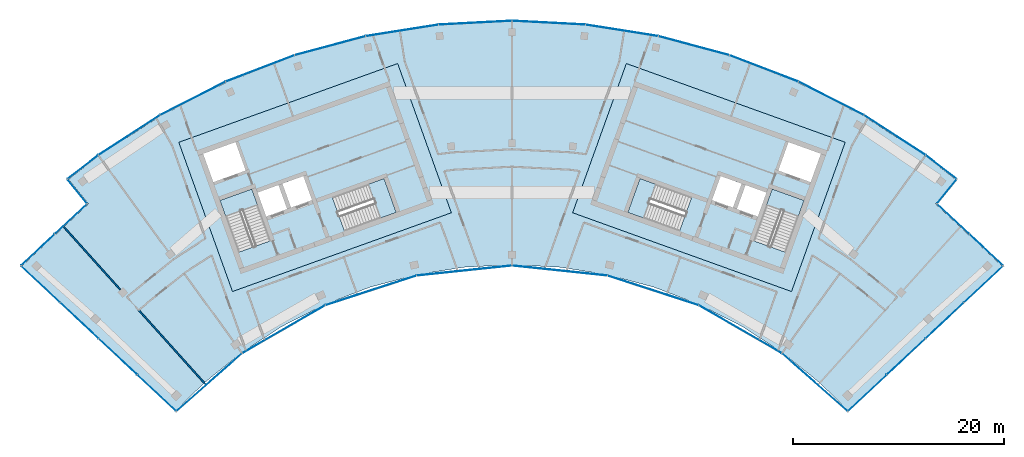
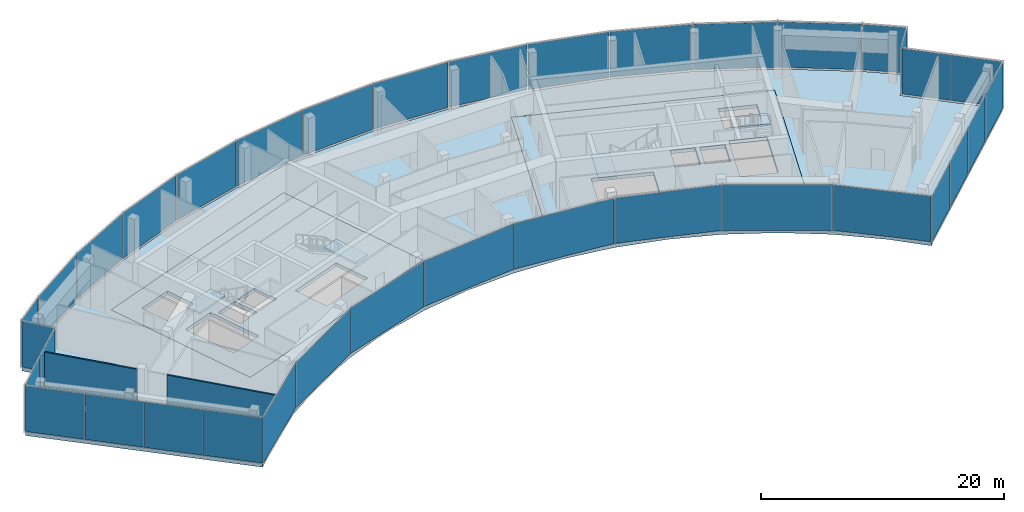
# One storey, part 11 of 17: 36 plates, 7 slabs, 2 walls, 12 elements without a shape of their own.
"""IFC4 building model written with IfcOpenShell, lengths in metres."""

import ifcopenshell
import ifcopenshell.guid

model = None  # the IFC model being written
_history = None  # IfcOwnerHistory: only IFC2X3 demands one
_inside = {}  # id of a spatial element -> (the spatial element, [elements in it])
_under = {}  # id of a project, library or spatial element -> (it, [spatial elements below it])
_declared = {}  # id of a project -> (the project, [libraries it declares])
_typed = {}  # id of a type object -> (the type object, [elements of that type])
_made_of = {}  # id of a material, layer set ... -> (it, [elements and type objects made of it])


def new_model(schema):
    """Start an empty IFC model of exactly this schema.

    Asked for "IFC4X3", IfcOpenShell would pick the latest addendum, in which some entities
    have other attributes; the version numbers below select the first issue.
    IFC2X3 requires an IfcOwnerHistory on every rooted entity: one is made here for all.
    """
    global model, _history
    if schema == "IFC4X3":
        model = ifcopenshell.file(schema_version=(4, 3, 0, 0))
    else:
        model = ifcopenshell.file(schema=schema)
    _inside.clear()
    _under.clear()
    _declared.clear()
    _typed.clear()
    _made_of.clear()
    _history = None
    if model.schema == "IFC2X3":
        org = make("IfcOrganization", Name="unknown")
        user = make(
            "IfcPersonAndOrganization",
            ThePerson=make("IfcPerson", FamilyName="unknown"),
            TheOrganization=org,
        )
        app = make(
            "IfcApplication",
            ApplicationDeveloper=org,
            Version="unknown",
            ApplicationFullName="unknown",
            ApplicationIdentifier="unknown",
        )
        _history = make(
            "IfcOwnerHistory",
            OwningUser=user,
            OwningApplication=app,
            ChangeAction="ADDED",
            CreationDate=0,
        )
    return model


def make(cls, **values):
    """One entity of the class cls with the attributes given. An attribute that is None is left unset."""
    return model.create_entity(
        cls, **{name: value for name, value in values.items() if value is not None}
    )


def rooted(cls, **values):
    """An entity with a GlobalId (a new one), such as an element, a storey or a relation."""
    return make(cls, GlobalId=ifcopenshell.guid.new(), OwnerHistory=_history, **values)


def si_unit(unit_type, name, prefix=None):
    """IfcSIUnit, for example si_unit("LENGTHUNIT", "METRE", prefix="MILLI")."""
    return make("IfcSIUnit", UnitType=unit_type, Prefix=prefix, Name=name)


def assignment(units):
    """IfcUnitAssignment: the units of a project."""
    return None if units is None else make("IfcUnitAssignment", Units=units)


def point(xyz):
    """IfcCartesianPoint."""
    return None if xyz is None else make("IfcCartesianPoint", Coordinates=xyz)


def direction(xyz):
    """IfcDirection."""
    return None if xyz is None else make("IfcDirection", DirectionRatios=xyz)


def frame(location, z_axis=None, x_axis=None):
    """IfcAxis2Placement3D, a coordinate frame: its origin and axes. An axis left out is left unset."""
    return make(
        "IfcAxis2Placement3D",
        Location=point(location),
        Axis=direction(z_axis),
        RefDirection=direction(x_axis),
    )


def frame_2d(location, x_axis=None):
    """IfcAxis2Placement2D, a coordinate frame in the plane: its origin and x axis."""
    return make(
        "IfcAxis2Placement2D", Location=point(location), RefDirection=direction(x_axis)
    )


def origin():
    """The frame at (0, 0, 0) with its axes left unset."""
    return frame((0.0, 0.0, 0.0))


def origin_2d():
    """The frame at (0, 0) in the plane with its x axis left unset."""
    return frame_2d((0.0, 0.0))


def place(relative_to, where):
    """IfcLocalPlacement: puts the frame where relative to a parent placement (None: the world)."""
    return make(
        "IfcLocalPlacement", PlacementRelTo=relative_to, RelativePlacement=where
    )


def context(
    kind, dimensions, precision=None, world=None, true_north=None, identifier=None
):
    """IfcGeometricRepresentationContext, for example the 3D "Model" context."""
    return make(
        "IfcGeometricRepresentationContext",
        ContextIdentifier=identifier,
        ContextType=kind,
        CoordinateSpaceDimension=dimensions,
        Precision=precision,
        WorldCoordinateSystem=world,
        TrueNorth=true_north,
    )


def subcontext(parent, identifier, kind, view, scale=None):
    """IfcGeometricRepresentationSubContext, for example "Body" below "Model"."""
    return make(
        "IfcGeometricRepresentationSubContext",
        ContextIdentifier=identifier,
        ContextType=kind,
        ParentContext=parent,
        TargetScale=scale,
        TargetView=view,
    )


def project(units=None, contexts=None):
    """IfcProject with its units and contexts."""
    return rooted(
        "IfcProject",
        Name="project",
        RepresentationContexts=contexts,
        UnitsInContext=assignment(units),
    )


def spatial(cls, under=None, at=None, **own):
    """A site, building, storey or space (cls), placed at a placement, below another one or the project."""
    s = rooted(cls, ObjectPlacement=at, **own)
    if under is not None:
        _under.setdefault(under.id(), (under, []))[1].append(s)
    return s


def polyline(points):
    """IfcPolyline through the points."""
    return make("IfcPolyline", Points=[point(p) for p in points])


def profile(cls, at=None, kind="AREA", **sizes):
    """A parametric profile (cls). Its sizes go by their IFC names, for example OverallWidth=200.0."""
    return make(cls, ProfileType=kind, Position=at, **sizes)


def rectangle(**sizes):
    """IfcRectangleProfileDef."""
    return profile("IfcRectangleProfileDef", **sizes)


def outline(outer, holes=None, kind="AREA"):
    """IfcArbitraryClosedProfileDef: a profile drawn as a closed curve; with holes, ...WithVoids."""
    if holes is None:
        return make("IfcArbitraryClosedProfileDef", ProfileType=kind, OuterCurve=outer)
    return make(
        "IfcArbitraryProfileDefWithVoids",
        ProfileType=kind,
        OuterCurve=outer,
        InnerCurves=holes,
    )


def extrude(swept, where, along, depth):
    """IfcExtrudedAreaSolid: the profile swept, set in the frame where, extruded along a direction by depth."""
    return make(
        "IfcExtrudedAreaSolid",
        SweptArea=swept,
        Position=where,
        ExtrudedDirection=direction(along),
        Depth=depth,
    )


def shape(context_of_items, identifier, shape_type, items):
    """IfcShapeRepresentation: the items that make up one representation, for example the "Body"."""
    return make(
        "IfcShapeRepresentation",
        ContextOfItems=context_of_items,
        RepresentationIdentifier=identifier,
        RepresentationType=shape_type,
        Items=items,
    )


def material(Name=None, Category=None):
    """IfcMaterial."""
    return make("IfcMaterial", Name=Name, Category=Category)


def layer(
    of_material, thickness, ventilated=None, Name=None, Category=None, Priority=None
):
    """IfcMaterialLayer: one layer of a wall or slab, of a material (None: an air gap)."""
    return make(
        "IfcMaterialLayer",
        Material=of_material,
        LayerThickness=thickness,
        IsVentilated=ventilated,
        Name=Name,
        Category=Category,
        Priority=Priority,
    )


def layer_set(layers, Name=None):
    """IfcMaterialLayerSet."""
    return make("IfcMaterialLayerSet", MaterialLayers=layers, LayerSetName=Name)


def made_of(thing, what):
    """Note that an element or type object is made of a material, layer set ...; save() writes the relation."""
    if what is not None:
        _made_of.setdefault(what.id(), (what, []))[1].append(thing)
    return thing


def type_object(cls, material=None, **own):
    """A type object (cls), such as IfcWallType, which elements share."""
    return made_of(rooted(cls, **own), material)


def element(
    cls,
    number,
    at=None,
    inside=None,
    cuts=None,
    type_object=None,
    material=None,
    context=None,
    identifier="Body",
    shape_type=None,
    held_by="IfcProductDefinitionShape",
    body=None,
    shapes=None,
    **own,
):
    """One element of the class cls, such as IfcWall. Its Tag is "e" and its number.

    at: its placement. inside: the storey or other place that contains it. cuts: it is an
    opening in that element (IfcRelVoidsElement). A single representation is given by context,
    identifier, shape_type and body (its items); several are given by shapes. held_by: the class
    of the entity that holds the representations. save() writes the other relations.
    """
    e = rooted(cls, Tag="e%d" % number, ObjectPlacement=at, **own)
    if body is not None:
        shapes = [shape(context, identifier, shape_type, body)]
    if shapes is not None:
        e.Representation = make(held_by, Representations=shapes)
    if inside is not None:
        _inside.setdefault(inside.id(), (inside, []))[1].append(e)
    if cuts is not None:
        rooted(
            "IfcRelVoidsElement", RelatingBuildingElement=cuts, RelatedOpeningElement=e
        )
    if type_object is not None:
        _typed.setdefault(type_object.id(), (type_object, []))[1].append(e)
    return made_of(e, material)


def aggregate(whole, parts):
    """IfcRelAggregates: a whole, such as a stair, and the parts it consists of."""
    return rooted("IfcRelAggregates", RelatingObject=whole, RelatedObjects=parts)


def save(model, path):
    """Write the relations noted so far, then the file.

    IfcRelAggregates (storeys below a building ...), IfcRelContainedInSpatialStructure (elements
    in a storey), IfcRelDefinesByType, IfcRelAssociatesMaterial and IfcRelDeclares: one each for
    every whole, place, type object, material and project.
    """
    for whole, parts in _under.values():
        aggregate(whole, parts)
    for where, things in _inside.values():
        rooted(
            "IfcRelContainedInSpatialStructure",
            RelatedElements=things,
            RelatingStructure=where,
        )
    for kind, things in _typed.values():
        rooted("IfcRelDefinesByType", RelatedObjects=things, RelatingType=kind)
    for what, things in _made_of.values():
        rooted("IfcRelAssociatesMaterial", RelatedObjects=things, RelatingMaterial=what)
    for by, libraries in _declared.values():
        rooted("IfcRelDeclares", RelatingContext=by, RelatedDefinitions=libraries)
    model.write(path)


model = new_model("IFC4")

# Units and contexts
model_context = context("Model", 3, precision=1e-05, world=origin(), true_north=direction((0.0, 1.0)))
body_context = subcontext(model_context, "Body", "Model", "MODEL_VIEW")
ifc_project = project(units=[si_unit("LENGTHUNIT", "METRE"), si_unit("AREAUNIT", "SQUARE_METRE"), si_unit("VOLUMEUNIT", "CUBIC_METRE"), si_unit("PLANEANGLEUNIT", "RADIAN"), si_unit("MASSUNIT", "GRAM", prefix="KILO")], contexts=[model_context])

# Site, building, storey
site_placement = place(None, origin())
site = spatial("IfcSite", under=ifc_project, at=site_placement, CompositionType="ELEMENT")
building_placement = place(site_placement, origin())
building = spatial("IfcBuilding", under=site, at=building_placement, Name="Stone Belt Terrace Tower", CompositionType="ELEMENT")
storey_placement = place(building_placement, frame((0.0, 0.0, 318.199951171875)))
storey = spatial("IfcBuildingStorey", under=building, at=storey_placement, Name="L77", CompositionType="ELEMENT", Elevation=318.199951171875)

# Curtain wall, plates
ifc_material_1 = material(Name="Aluminium 6063-T6 anodised frame", Category="aluminium")
ifc_layer_1 = layer(ifc_material_1, 0.14990234375)
ifc_layer_set_1 = layer_set([ifc_layer_1], Name="CW-C stick curtain wall, horn ends and notches")
curtain_wall_type = type_object("IfcCurtainWallType", Name="CW-C stick curtain wall, horn ends and notches", PredefinedType="NOTDEFINED", material=ifc_layer_set_1)
curtain_wall_1_placement = place(storey_placement, origin())
curtain_wall_1 = element("IfcCurtainWall", 1, at=curtain_wall_1_placement, inside=storey, type_object=curtain_wall_type, Name="CW-C concave face L77", PredefinedType="NOTDEFINED")
ifc_material_2 = material(Name="Terracotta coloured glazed ceramic", Category="masonry")
ifc_layer_2 = layer(ifc_material_2, 0.028076171875)
ifc_layer_set_2 = layer_set([ifc_layer_2], Name="CW-C ceramic louvre panel 28")
plate_type = type_object("IfcPlateType", Name="CW-C ceramic louvre panel 28", PredefinedType="CURTAIN_PANEL", material=ifc_layer_set_2)
plate_1_placement = place(storey_placement, frame((-28.625244140625, 32.393798828125, 0.1201171875), z_axis=(0.0, 0.0, 1.0), x_axis=(0.749658646805, 0.661824684694, 0.0)))
plate_1 = element("IfcPlate", 2, at=plate_1_placement, type_object=plate_type, Name="CW-C louvre panel 1.1", PredefinedType="CURTAIN_PANEL", context=body_context, shape_type="SweptSolid", body=[
    extrude(rectangle(XDim=8.197265625, YDim=0.028076171875, at=origin_2d()), origin(), (0.0, 0.0, 1.0), 4.56005859375),
])
plate_2_placement = place(storey_placement, frame((-21.59375, 37.400634765625, 0.1201171875), z_axis=(0.0, 0.0, 1.0), x_axis=(0.866025403784, 0.5, 0.0)))
plate_2 = element("IfcPlate", 3, at=plate_2_placement, type_object=plate_type, Name="CW-C louvre panel 2.1", PredefinedType="CURTAIN_PANEL", context=body_context, shape_type="SweptSolid", body=[
    extrude(rectangle(XDim=9.003662109375, YDim=0.028076171875, at=origin_2d()), origin(), (0.0, 0.0, 1.0), 4.56005859375),
])
plate_3_placement = place(storey_placement, frame((-13.345458984375, 41.072998046875, 0.1201171875), z_axis=(0.0, 0.0, 1.0), x_axis=(0.951056516295, 0.309016994375, 0.0)))
plate_3 = element("IfcPlate", 4, at=plate_3_placement, type_object=plate_type, Name="CW-C louvre panel 3.1", PredefinedType="CURTAIN_PANEL", context=body_context, shape_type="SweptSolid", body=[
    extrude(rectangle(XDim=9.0029296875, YDim=0.028076171875, at=origin_2d()), origin(), (0.0, 0.0, 1.0), 4.56005859375),
])
plate_4_placement = place(storey_placement, frame((-4.51416015625, 42.9501953125, 0.1201171875), z_axis=(0.0, 0.0, 1.0), x_axis=(0.994521895368, 0.104528463268, 0.0)))
plate_4 = element("IfcPlate", 5, at=plate_4_placement, type_object=plate_type, Name="CW-C louvre panel 4.1", PredefinedType="CURTAIN_PANEL", context=body_context, shape_type="SweptSolid", body=[
    extrude(rectangle(XDim=9.0029296875, YDim=0.028076171875, at=origin_2d()), origin(), (0.0, 0.0, 1.0), 4.56005859375),
])
plate_5_placement = place(storey_placement, frame((4.51416015625, 42.9501953125, 0.1201171875), z_axis=(0.0, 0.0, 1.0), x_axis=(0.994521895368, -0.104528463268, 0.0)))
plate_5 = element("IfcPlate", 6, at=plate_5_placement, type_object=plate_type, Name="CW-C louvre panel 5.1", PredefinedType="CURTAIN_PANEL", context=body_context, shape_type="SweptSolid", body=[
    extrude(rectangle(XDim=9.0029296875, YDim=0.028076171875, at=origin_2d()), origin(), (0.0, 0.0, 1.0), 4.56005859375),
])
plate_6_placement = place(storey_placement, frame((13.345458984375, 41.072998046875, 0.1201171875), z_axis=(0.0, 0.0, 1.0), x_axis=(0.951056516295, -0.309016994375, 0.0)))
plate_6 = element("IfcPlate", 7, at=plate_6_placement, type_object=plate_type, Name="CW-C louvre panel 6.1", PredefinedType="CURTAIN_PANEL", context=body_context, shape_type="SweptSolid", body=[
    extrude(rectangle(XDim=9.0029296875, YDim=0.028076171875, at=origin_2d()), origin(), (0.0, 0.0, 1.0), 4.56005859375),
])
plate_7_placement = place(storey_placement, frame((21.59375, 37.400634765625, 0.1201171875), z_axis=(0.0, 0.0, 1.0), x_axis=(0.866025403784, -0.5, 0.0)))
plate_7 = element("IfcPlate", 8, at=plate_7_placement, type_object=plate_type, Name="CW-C louvre panel 7.1", PredefinedType="CURTAIN_PANEL", context=body_context, shape_type="SweptSolid", body=[
    extrude(rectangle(XDim=9.003662109375, YDim=0.028076171875, at=origin_2d()), origin(), (0.0, 0.0, 1.0), 4.56005859375),
])
plate_8_placement = place(storey_placement, frame((28.625244140625, 32.393798828125, 0.1201171875), z_axis=(0.0, 0.0, 1.0), x_axis=(0.749658646805, -0.661824684694, 0.0)))
plate_8 = element("IfcPlate", 9, at=plate_8_placement, type_object=plate_type, Name="CW-C louvre panel 8.1", PredefinedType="CURTAIN_PANEL", context=body_context, shape_type="SweptSolid", body=[
    extrude(rectangle(XDim=8.197265625, YDim=0.028076171875, at=origin_2d()), origin(), (0.0, 0.0, 1.0), 4.56005859375),
])
aggregate(curtain_wall_1, [plate_1, plate_2, plate_3, plate_4, plate_5, plate_6, plate_7, plate_8])

curtain_wall_2_placement = place(storey_placement, origin())
curtain_wall_2 = element("IfcCurtainWall", 10, at=curtain_wall_2_placement, inside=storey, type_object=curtain_wall_type, Name="CW-C end face L77", PredefinedType="NOTDEFINED")
plate_9_placement = place(storey_placement, frame((33.617431640625, 31.3798828125, 0.1201171875), z_axis=(0.0, 0.0, 1.0), x_axis=(0.729904219708, 0.683549434973, 0.0)))
plate_9 = element("IfcPlate", 11, at=plate_9_placement, type_object=plate_type, Name="CW-C louvre panel 1.1", PredefinedType="CURTAIN_PANEL", context=body_context, shape_type="SweptSolid", body=[
    extrude(rectangle(XDim=4.965576171875, YDim=0.028076171875, at=origin_2d()), origin(), (0.0, 0.0, 1.0), 4.56005859375),
])
plate_10_placement = place(storey_placement, frame((37.2763671875, 34.806396484375, 0.1201171875), z_axis=(0.0, 0.0, 1.0), x_axis=(0.729904219708, 0.683549434973, 0.0)))
plate_10 = element("IfcPlate", 12, at=plate_10_placement, type_object=plate_type, Name="CW-C louvre panel 2.1", PredefinedType="CURTAIN_PANEL", context=body_context, shape_type="SweptSolid", body=[
    extrude(rectangle(XDim=4.93994140625, YDim=0.028076171875, at=origin_2d()), origin(), (0.0, 0.0, 1.0), 4.56005859375),
])
plate_11_placement = place(storey_placement, frame((40.92578125, 38.22412109375, 0.1201171875), z_axis=(0.0, 0.0, 1.0), x_axis=(0.729904219708, 0.683549434973, 0.0)))
plate_11 = element("IfcPlate", 13, at=plate_11_placement, type_object=plate_type, Name="CW-C louvre panel 3.1", PredefinedType="CURTAIN_PANEL", context=body_context, shape_type="SweptSolid", body=[
    extrude(rectangle(XDim=4.93994140625, YDim=0.028076171875, at=origin_2d()), origin(), (0.0, 0.0, 1.0), 4.56005859375),
])
plate_12_placement = place(storey_placement, frame((44.588134765625, 41.65380859375, 0.1201171875), z_axis=(0.0, 0.0, 1.0), x_axis=(0.729904219708, 0.683549434973, 0.0)))
plate_12 = element("IfcPlate", 14, at=plate_12_placement, type_object=plate_type, Name="CW-C louvre panel 4.1", PredefinedType="CURTAIN_PANEL", context=body_context, shape_type="SweptSolid", body=[
    extrude(rectangle(XDim=4.974853515625, YDim=0.028076171875, at=origin_2d()), origin(), (0.0, 0.0, 1.0), 4.56005859375),
])
aggregate(curtain_wall_2, [plate_9, plate_10, plate_11, plate_12])

curtain_wall_3_placement = place(storey_placement, origin())
curtain_wall_3 = element("IfcCurtainWall", 15, at=curtain_wall_3_placement, inside=storey, type_object=curtain_wall_type, Name="CW-C notch face L77", PredefinedType="NOTDEFINED")
plate_13_placement = place(storey_placement, frame((44.8427734375, 44.91259765625, 0.1201171875), z_axis=(0.0, 0.0, 1.0), x_axis=(-0.731339333871, 0.682013767261, 0.0)))
plate_13 = element("IfcPlate", 16, at=plate_13_placement, type_object=plate_type, Name="CW-C louvre panel 1.1", PredefinedType="CURTAIN_PANEL", context=body_context, shape_type="SweptSolid", body=[
    extrude(rectangle(XDim=4.268798828125, YDim=0.028076171875, at=origin_2d()), origin(), (0.0, 0.0, 1.0), 4.56005859375),
])
plate_14_placement = place(storey_placement, frame((41.731201171875, 47.814208984375, 0.1201171875), z_axis=(0.0, 0.0, 1.0), x_axis=(-0.731339333871, 0.682013767261, 0.0)))
plate_14 = element("IfcPlate", 17, at=plate_14_placement, type_object=plate_type, Name="CW-C louvre panel 2.1", PredefinedType="CURTAIN_PANEL", context=body_context, shape_type="SweptSolid", body=[
    extrude(rectangle(XDim=4.12060546875, YDim=0.028076171875, at=origin_2d()), origin(), (0.0, 0.0, 1.0), 4.56005859375),
])
aggregate(curtain_wall_3, [plate_13, plate_14])

# Curtain wall, plate
curtain_wall_4_placement = place(storey_placement, origin())
curtain_wall_4 = element("IfcCurtainWall", 18, at=curtain_wall_4_placement, inside=storey, type_object=curtain_wall_type, Name="CW-C notch face L77", PredefinedType="NOTDEFINED")
plate_15_placement = place(storey_placement, frame((41.119140625, 50.43505859375, 0.1201171875), z_axis=(0.0, 0.0, 1.0), x_axis=(0.631001485542, 0.775781622136, 0.0)))
plate_15 = element("IfcPlate", 19, at=plate_15_placement, type_object=plate_type, Name="CW-C louvre panel 1.1", PredefinedType="CURTAIN_PANEL", context=body_context, shape_type="SweptSolid", body=[
    extrude(rectangle(XDim=2.859130859375, YDim=0.028076171875, at=origin_2d()), origin(), (0.0, 0.0, 1.0), 4.56005859375),
])
aggregate(curtain_wall_4, [plate_15])

# Curtain wall, plates
curtain_wall_5_placement = place(storey_placement, origin())
curtain_wall_5 = element("IfcCurtainWall", 20, at=curtain_wall_5_placement, inside=storey, type_object=curtain_wall_type, Name="CW-C convex face L77", PredefinedType="NOTDEFINED")
plate_16_placement = place(storey_placement, frame((40.583251953125, 52.744140625, 0.1201171875), z_axis=(0.0, 0.0, 1.0), x_axis=(-0.792693871824, 0.60961990254, 0.0)))
plate_16 = element("IfcPlate", 21, at=plate_16_placement, type_object=plate_type, Name="CW-C louvre panel 1.1", PredefinedType="CURTAIN_PANEL", context=body_context, shape_type="SweptSolid", body=[
    extrude(rectangle(XDim=3.597900390625, YDim=0.028076171875, at=origin_2d()), origin(), (0.0, 0.0, 1.0), 4.56005859375),
])
plate_17_placement = place(storey_placement, frame((36.209716796875, 55.758056640625, 0.1201171875), z_axis=(0.0, 0.0, 1.0), x_axis=(-0.838670567945, 0.544639035015, 0.0)))
plate_17 = element("IfcPlate", 22, at=plate_17_placement, type_object=plate_type, Name="CW-C louvre panel 2.1", PredefinedType="CURTAIN_PANEL", context=body_context, shape_type="SweptSolid", body=[
    extrude(rectangle(XDim=6.900634765625, YDim=0.028076171875, at=origin_2d()), origin(), (0.0, 0.0, 1.0), 4.56005859375),
])
plate_18_placement = place(storey_placement, frame((30.18310546875, 59.237548828125, 0.1201171875), z_axis=(0.0, 0.0, 1.0), x_axis=(-0.891006524188, 0.45399049974, 0.0)))
plate_18 = element("IfcPlate", 23, at=plate_18_placement, type_object=plate_type, Name="CW-C louvre panel 3.1", PredefinedType="CURTAIN_PANEL", context=body_context, shape_type="SweptSolid", body=[
    extrude(rectangle(XDim=6.90087890625, YDim=0.028076171875, at=origin_2d()), origin(), (0.0, 0.0, 1.0), 4.56005859375),
])
plate_19_placement = place(storey_placement, frame((23.82568359375, 62.068115234375, 0.1201171875), z_axis=(0.0, 0.0, 1.0), x_axis=(-0.933580426497, 0.358367949545, 0.0)))
plate_19 = element("IfcPlate", 24, at=plate_19_placement, type_object=plate_type, Name="CW-C louvre panel 4.1", PredefinedType="CURTAIN_PANEL", context=body_context, shape_type="SweptSolid", body=[
    extrude(rectangle(XDim=6.90087890625, YDim=0.028076171875, at=origin_2d()), origin(), (0.0, 0.0, 1.0), 4.56005859375),
])
plate_20_placement = place(storey_placement, frame((17.207275390625, 64.218505859375, 0.1201171875), z_axis=(0.0, 0.0, 1.0), x_axis=(-0.965925826289, 0.258819045103, 0.0)))
plate_20 = element("IfcPlate", 25, at=plate_20_placement, type_object=plate_type, Name="CW-C louvre panel 5.1", PredefinedType="CURTAIN_PANEL", context=body_context, shape_type="SweptSolid", body=[
    extrude(rectangle(XDim=6.90087890625, YDim=0.028076171875, at=origin_2d()), origin(), (0.0, 0.0, 1.0), 4.56005859375),
])
plate_21_placement = place(storey_placement, frame((10.400390625, 65.665283203125, 0.1201171875), z_axis=(0.0, 0.0, 1.0), x_axis=(-0.987688340595, 0.15643446504, 0.0)))
plate_21 = element("IfcPlate", 26, at=plate_21_placement, type_object=plate_type, Name="CW-C louvre panel 6.1", PredefinedType="CURTAIN_PANEL", context=body_context, shape_type="SweptSolid", body=[
    extrude(rectangle(XDim=6.90087890625, YDim=0.028076171875, at=origin_2d()), origin(), (0.0, 0.0, 1.0), 4.56005859375),
])
plate_22_placement = place(storey_placement, frame((3.4794921875, 66.392822265625, 0.1201171875), z_axis=(0.0, 0.0, 1.0), x_axis=(-0.998629534755, 0.052335956243, 0.0)))
plate_22 = element("IfcPlate", 27, at=plate_22_placement, type_object=plate_type, Name="CW-C louvre panel 7.1", PredefinedType="CURTAIN_PANEL", context=body_context, shape_type="SweptSolid", body=[
    extrude(rectangle(XDim=6.90087890625, YDim=0.028076171875, at=origin_2d()), origin(), (0.0, 0.0, 1.0), 4.56005859375),
])
plate_23_placement = place(storey_placement, frame((-3.4794921875, 66.392822265625, 0.1201171875), z_axis=(0.0, 0.0, 1.0), x_axis=(-0.998629534755, -0.052335956243, 0.0)))
plate_23 = element("IfcPlate", 28, at=plate_23_placement, type_object=plate_type, Name="CW-C louvre panel 8.1", PredefinedType="CURTAIN_PANEL", context=body_context, shape_type="SweptSolid", body=[
    extrude(rectangle(XDim=6.90087890625, YDim=0.028076171875, at=origin_2d()), origin(), (0.0, 0.0, 1.0), 4.56005859375),
])
plate_24_placement = place(storey_placement, frame((-10.400390625, 65.665283203125, 0.1201171875), z_axis=(0.0, 0.0, 1.0), x_axis=(-0.987688340595, -0.15643446504, 0.0)))
plate_24 = element("IfcPlate", 29, at=plate_24_placement, type_object=plate_type, Name="CW-C louvre panel 9.1", PredefinedType="CURTAIN_PANEL", context=body_context, shape_type="SweptSolid", body=[
    extrude(rectangle(XDim=6.90087890625, YDim=0.028076171875, at=origin_2d()), origin(), (0.0, 0.0, 1.0), 4.56005859375),
])
plate_25_placement = place(storey_placement, frame((-17.207275390625, 64.218505859375, 0.1201171875), z_axis=(0.0, 0.0, 1.0), x_axis=(-0.965925826289, -0.258819045103, 0.0)))
plate_25 = element("IfcPlate", 30, at=plate_25_placement, type_object=plate_type, Name="CW-C louvre panel 10.1", PredefinedType="CURTAIN_PANEL", context=body_context, shape_type="SweptSolid", body=[
    extrude(rectangle(XDim=6.90087890625, YDim=0.028076171875, at=origin_2d()), origin(), (0.0, 0.0, 1.0), 4.56005859375),
])
plate_26_placement = place(storey_placement, frame((-23.82568359375, 62.068115234375, 0.1201171875), z_axis=(0.0, 0.0, 1.0), x_axis=(-0.933580426497, -0.358367949545, 0.0)))
plate_26 = element("IfcPlate", 31, at=plate_26_placement, type_object=plate_type, Name="CW-C louvre panel 11.1", PredefinedType="CURTAIN_PANEL", context=body_context, shape_type="SweptSolid", body=[
    extrude(rectangle(XDim=6.90087890625, YDim=0.028076171875, at=origin_2d()), origin(), (0.0, 0.0, 1.0), 4.56005859375),
])
plate_27_placement = place(storey_placement, frame((-30.18310546875, 59.237548828125, 0.1201171875), z_axis=(0.0, 0.0, 1.0), x_axis=(-0.891006524188, -0.45399049974, 0.0)))
plate_27 = element("IfcPlate", 32, at=plate_27_placement, type_object=plate_type, Name="CW-C louvre panel 12.1", PredefinedType="CURTAIN_PANEL", context=body_context, shape_type="SweptSolid", body=[
    extrude(rectangle(XDim=6.90087890625, YDim=0.028076171875, at=origin_2d()), origin(), (0.0, 0.0, 1.0), 4.56005859375),
])
plate_28_placement = place(storey_placement, frame((-36.209716796875, 55.758056640625, 0.1201171875), z_axis=(0.0, 0.0, 1.0), x_axis=(-0.838670567945, -0.544639035015, 0.0)))
plate_28 = element("IfcPlate", 33, at=plate_28_placement, type_object=plate_type, Name="CW-C louvre panel 13.1", PredefinedType="CURTAIN_PANEL", context=body_context, shape_type="SweptSolid", body=[
    extrude(rectangle(XDim=6.900634765625, YDim=0.028076171875, at=origin_2d()), origin(), (0.0, 0.0, 1.0), 4.56005859375),
])
plate_29_placement = place(storey_placement, frame((-40.583251953125, 52.744140625, 0.1201171875), z_axis=(0.0, 0.0, 1.0), x_axis=(-0.792693871824, -0.60961990254, 0.0)))
plate_29 = element("IfcPlate", 34, at=plate_29_placement, type_object=plate_type, Name="CW-C louvre panel 14.1", PredefinedType="CURTAIN_PANEL", context=body_context, shape_type="SweptSolid", body=[
    extrude(rectangle(XDim=3.597900390625, YDim=0.028076171875, at=origin_2d()), origin(), (0.0, 0.0, 1.0), 4.56005859375),
])
aggregate(curtain_wall_5, [plate_16, plate_17, plate_18, plate_19, plate_20, plate_21, plate_22, plate_23, plate_24, plate_25, plate_26, plate_27, plate_28, plate_29])

# Curtain wall, plate
curtain_wall_6_placement = place(storey_placement, origin())
curtain_wall_6 = element("IfcCurtainWall", 35, at=curtain_wall_6_placement, inside=storey, type_object=curtain_wall_type, Name="CW-C notch face L77", PredefinedType="NOTDEFINED")
plate_30_placement = place(storey_placement, frame((-41.119140625, 50.43505859375, 0.1201171875), z_axis=(0.0, 0.0, 1.0), x_axis=(0.631001485542, -0.775781622136, 0.0)))
plate_30 = element("IfcPlate", 36, at=plate_30_placement, type_object=plate_type, Name="CW-C louvre panel 1.1", PredefinedType="CURTAIN_PANEL", context=body_context, shape_type="SweptSolid", body=[
    extrude(rectangle(XDim=2.859130859375, YDim=0.028076171875, at=origin_2d()), origin(), (0.0, 0.0, 1.0), 4.56005859375),
])
aggregate(curtain_wall_6, [plate_30])

# Curtain wall, plates
curtain_wall_7_placement = place(storey_placement, origin())
curtain_wall_7 = element("IfcCurtainWall", 37, at=curtain_wall_7_placement, inside=storey, type_object=curtain_wall_type, Name="CW-C notch face L77", PredefinedType="NOTDEFINED")
plate_31_placement = place(storey_placement, frame((-41.731201171875, 47.814208984375, 0.1201171875), z_axis=(0.0, 0.0, 1.0), x_axis=(-0.731339333871, -0.682013767261, 0.0)))
plate_31 = element("IfcPlate", 38, at=plate_31_placement, type_object=plate_type, Name="CW-C louvre panel 1.1", PredefinedType="CURTAIN_PANEL", context=body_context, shape_type="SweptSolid", body=[
    extrude(rectangle(XDim=4.12060546875, YDim=0.028076171875, at=origin_2d()), origin(), (0.0, 0.0, 1.0), 4.56005859375),
])
plate_32_placement = place(storey_placement, frame((-44.8427734375, 44.91259765625, 0.1201171875), z_axis=(0.0, 0.0, 1.0), x_axis=(-0.731339333871, -0.682013767261, 0.0)))
plate_32 = element("IfcPlate", 39, at=plate_32_placement, type_object=plate_type, Name="CW-C louvre panel 2.1", PredefinedType="CURTAIN_PANEL", context=body_context, shape_type="SweptSolid", body=[
    extrude(rectangle(XDim=4.268798828125, YDim=0.028076171875, at=origin_2d()), origin(), (0.0, 0.0, 1.0), 4.56005859375),
])
aggregate(curtain_wall_7, [plate_31, plate_32])

curtain_wall_8_placement = place(storey_placement, origin())
curtain_wall_8 = element("IfcCurtainWall", 40, at=curtain_wall_8_placement, inside=storey, type_object=curtain_wall_type, Name="CW-C end face L77", PredefinedType="NOTDEFINED")
plate_33_placement = place(storey_placement, frame((-44.588134765625, 41.65380859375, 0.1201171875), z_axis=(0.0, 0.0, 1.0), x_axis=(0.729904219708, -0.683549434973, 0.0)))
plate_33 = element("IfcPlate", 41, at=plate_33_placement, type_object=plate_type, Name="CW-C louvre panel 1.1", PredefinedType="CURTAIN_PANEL", context=body_context, shape_type="SweptSolid", body=[
    extrude(rectangle(XDim=4.974853515625, YDim=0.028076171875, at=origin_2d()), origin(), (0.0, 0.0, 1.0), 4.56005859375),
])
plate_34_placement = place(storey_placement, frame((-40.92578125, 38.22412109375, 0.1201171875), z_axis=(0.0, 0.0, 1.0), x_axis=(0.729904219708, -0.683549434973, 0.0)))
plate_34 = element("IfcPlate", 42, at=plate_34_placement, type_object=plate_type, Name="CW-C louvre panel 2.1", PredefinedType="CURTAIN_PANEL", context=body_context, shape_type="SweptSolid", body=[
    extrude(rectangle(XDim=4.93994140625, YDim=0.028076171875, at=origin_2d()), origin(), (0.0, 0.0, 1.0), 4.56005859375),
])
plate_35_placement = place(storey_placement, frame((-37.2763671875, 34.806396484375, 0.1201171875), z_axis=(0.0, 0.0, 1.0), x_axis=(0.729904219708, -0.683549434973, 0.0)))
plate_35 = element("IfcPlate", 43, at=plate_35_placement, type_object=plate_type, Name="CW-C louvre panel 3.1", PredefinedType="CURTAIN_PANEL", context=body_context, shape_type="SweptSolid", body=[
    extrude(rectangle(XDim=4.93994140625, YDim=0.028076171875, at=origin_2d()), origin(), (0.0, 0.0, 1.0), 4.56005859375),
])
plate_36_placement = place(storey_placement, frame((-33.617431640625, 31.3798828125, 0.1201171875), z_axis=(0.0, 0.0, 1.0), x_axis=(0.729904219708, -0.683549434973, 0.0)))
plate_36 = element("IfcPlate", 44, at=plate_36_placement, type_object=plate_type, Name="CW-C louvre panel 4.1", PredefinedType="CURTAIN_PANEL", context=body_context, shape_type="SweptSolid", body=[
    extrude(rectangle(XDim=4.965576171875, YDim=0.028076171875, at=origin_2d()), origin(), (0.0, 0.0, 1.0), 4.56005859375),
])
aggregate(curtain_wall_8, [plate_33, plate_34, plate_35, plate_36])

# Slabs
ifc_material_3 = material(Name="Concrete B40", Category="concrete")
ifc_layer_3 = layer(ifc_material_3, 0.35009765625)
ifc_layer_set_3 = layer_set([ifc_layer_3], Name="Core floor slab 350")
slab_type_1 = type_object("IfcSlabType", Name="Core floor slab 350", PredefinedType="FLOOR", material=ifc_layer_set_3)
slab_1_placement = place(storey_placement, frame((0.0, 0.0, -0.349853515625)))
element("IfcSlab", 45, at=slab_1_placement, inside=storey, type_object=slab_type_1, Name="Core A floor L77", PredefinedType="FLOOR", context=body_context, shape_type="SweptSolid", body=[
    extrude(outline(polyline([(-26.43505859375, 40.968994140625), (-5.735107421875, 48.4189453125), (-10.81396484375, 62.531982421875), (-31.513916015625, 55.0830078125), (-26.43505859375, 40.968994140625)]), holes=[polyline([(-27.618896484375, 49.575927734375), (-24.60791015625, 50.659912109375), (-22.847900390625, 45.76806640625), (-25.85888671875, 44.68408203125), (-27.618896484375, 49.575927734375)]), polyline([(-12.10595703125, 51.652099609375), (-10.955078125, 48.452880859375), (-15.846923828125, 46.69189453125), (-16.998046875, 49.89208984375), (-12.10595703125, 51.652099609375)]), polyline([(-21.27392578125, 48.778076171875), (-23.25, 48.06689453125), (-24.06298828125, 50.324951171875), (-22.0869140625, 51.035888671875), (-21.27392578125, 48.778076171875)]), polyline([(-20.89794921875, 48.9130859375), (-21.7109375, 51.1708984375), (-19.735107421875, 51.883056640625), (-18.922119140625, 49.6240234375), (-20.89794921875, 48.9130859375)]), polyline([(-28.24609375, 51.31689453125), (-29.2109375, 53.9990234375), (-26.153076171875, 55.09912109375), (-25.18798828125, 52.41796875), (-28.24609375, 51.31689453125)])]), origin(), (0.0, 0.0, 1.0), 0.349853515625),
])
slab_2_placement = place(storey_placement, frame((0.0, 0.0, -0.349853515625)))
element("IfcSlab", 46, at=slab_2_placement, inside=storey, type_object=slab_type_1, Name="Core B floor L77", PredefinedType="FLOOR", context=body_context, shape_type="SweptSolid", body=[
    extrude(outline(polyline([(26.43505859375, 40.968994140625), (31.513916015625, 55.0830078125), (10.81396484375, 62.531982421875), (5.735107421875, 48.4189453125), (26.43505859375, 40.968994140625)]), holes=[polyline([(24.60791015625, 50.659912109375), (27.618896484375, 49.575927734375), (25.85888671875, 44.68408203125), (22.847900390625, 45.76806640625), (24.60791015625, 50.659912109375)]), polyline([(10.955078125, 48.452880859375), (12.10595703125, 51.652099609375), (16.998046875, 49.89208984375), (15.846923828125, 46.69189453125), (10.955078125, 48.452880859375)]), polyline([(21.27392578125, 48.778076171875), (22.0869140625, 51.035888671875), (24.06298828125, 50.324951171875), (23.25, 48.06689453125), (21.27392578125, 48.778076171875)]), polyline([(19.735107421875, 51.883056640625), (21.7109375, 51.1708984375), (20.89794921875, 48.9130859375), (18.922119140625, 49.6240234375), (19.735107421875, 51.883056640625)]), polyline([(26.153076171875, 55.09912109375), (29.2109375, 53.9990234375), (28.24609375, 51.31689453125), (25.18798828125, 52.41796875), (26.153076171875, 55.09912109375)])]), origin(), (0.0, 0.0, 1.0), 0.349853515625),
])
ifc_layer_4 = layer(ifc_material_3, 0.35009765625)
ifc_layer_set_4 = layer_set([ifc_layer_4], Name="Floor slab 350 B40")
slab_type_2 = type_object("IfcSlabType", Name="Floor slab 350 B40", PredefinedType="FLOOR", material=ifc_layer_set_4)
slab_3_placement = place(storey_placement, frame((0.0, 0.0, -0.349853515625)))
element("IfcSlab", 47, at=slab_3_placement, inside=storey, type_object=slab_type_2, Name="Floor slab L77", PredefinedType="FLOOR", context=body_context, shape_type="SweptSolid", body=[
    extrude(outline(polyline([(-40.068603515625, 49.26220703125), (-41.961669921875, 51.589599609375), (-39.087646484375, 53.799560546875), (-33.25, 57.5908203125), (-27.048095703125, 60.750732421875), (-20.549560546875, 63.245361328125), (-13.826171875, 65.046875), (-6.951171875, 66.1357421875), (0.0, 66.5), (6.951171875, 66.1357421875), (13.826171875, 65.046875), (20.549560546875, 63.245361328125), (27.048095703125, 60.750732421875), (33.25, 57.5908203125), (39.087646484375, 53.799560546875), (41.961669921875, 51.589599609375), (40.068603515625, 49.26220703125), (46.348876953125, 43.405517578125), (31.750732421875, 29.734375), (29.107177734375, 32.326904296875), (25.568603515625, 35.192138671875), (21.75, 37.672119140625), (17.693115234375, 39.7392578125), (13.442138671875, 41.37109375), (9.044189453125, 42.54931640625), (4.547119140625, 43.26171875), (0.0, 43.5), (-4.547119140625, 43.26171875), (-9.044189453125, 42.54931640625), (-13.442138671875, 41.37109375), (-17.693115234375, 39.7392578125), (-21.75, 37.672119140625), (-25.568603515625, 35.192138671875), (-29.107177734375, 32.326904296875), (-31.750732421875, 29.734375), (-46.348876953125, 43.405517578125), (-40.068603515625, 49.26220703125)]), holes=[polyline([(-10.81396484375, 62.532470703125), (-31.51416015625, 55.082763671875), (-26.434814453125, 40.968994140625), (-5.734619140625, 48.418701171875), (-10.81396484375, 62.532470703125)]), polyline([(26.434814453125, 40.968994140625), (31.51416015625, 55.082763671875), (10.81396484375, 62.532470703125), (5.734619140625, 48.418701171875), (26.434814453125, 40.968994140625)])]), origin(), (0.0, 0.0, 1.0), 0.349853515625),
])

# Stair, slab
stair_type = type_object("IfcStairType", Name="Exit stair 1500", PredefinedType="HALF_TURN_STAIR", material=ifc_material_3)
stair_1_placement = place(storey_placement, origin())
stair_1 = element("IfcStair", 48, at=stair_1_placement, inside=storey, type_object=stair_type, Name="L77 Exit stair 1 core A", PredefinedType="HALF_TURN_STAIR")
ifc_layer_5 = layer(ifc_material_3, 0.199951171875)
ifc_layer_set_5 = layer_set([ifc_layer_5], Name="Stair landing 200")
slab_type_3 = type_object("IfcSlabType", Name="Stair landing 200", PredefinedType="LANDING", material=ifc_layer_set_5)
slab_4_placement = place(storey_placement, frame((0.0, 0.0, 2.199951171875)))
slab_4 = element("IfcSlab", 49, at=slab_4_placement, type_object=slab_type_3, Name="ST1A landing 1", PredefinedType="LANDING", context=body_context, shape_type="SweptSolid", body=[
    extrude(outline(polyline([(-24.080078125, 49.191162109375), (-24.6083984375, 50.659912109375), (-27.619384765625, 49.576171875), (-27.0908203125, 48.107666015625), (-24.080078125, 49.191162109375)])), origin(), (0.0, 0.0, 1.0), 0.2001953125),
])
aggregate(stair_1, [slab_4])

stair_2_placement = place(storey_placement, origin())
stair_2 = element("IfcStair", 50, at=stair_2_placement, inside=storey, type_object=stair_type, Name="L77 Exit stair 2 core A", PredefinedType="HALF_TURN_STAIR")
slab_5_placement = place(storey_placement, frame((0.0, 0.0, 2.199951171875)))
slab_5 = element("IfcSlab", 51, at=slab_5_placement, type_object=slab_type_3, Name="ST2A landing 1", PredefinedType="LANDING", context=body_context, shape_type="SweptSolid", body=[
    extrude(outline(polyline([(-12.423095703125, 47.924560546875), (-10.95458984375, 48.453125), (-12.10595703125, 51.652099609375), (-13.574462890625, 51.12353515625), (-12.423095703125, 47.924560546875)])), origin(), (0.0, 0.0, 1.0), 0.2001953125),
])
aggregate(stair_2, [slab_5])

stair_3_placement = place(storey_placement, origin())
stair_3 = element("IfcStair", 52, at=stair_3_placement, inside=storey, type_object=stair_type, Name="L77 Exit stair 1 core B", PredefinedType="HALF_TURN_STAIR")
slab_6_placement = place(storey_placement, frame((0.0, 0.0, 2.199951171875)))
slab_6 = element("IfcSlab", 53, at=slab_6_placement, type_object=slab_type_3, Name="ST1B landing 1", PredefinedType="LANDING", context=body_context, shape_type="SweptSolid", body=[
    extrude(outline(polyline([(27.0908203125, 48.107666015625), (27.619384765625, 49.576171875), (24.6083984375, 50.659912109375), (24.080078125, 49.191162109375), (27.0908203125, 48.107666015625)])), origin(), (0.0, 0.0, 1.0), 0.2001953125),
])
aggregate(stair_3, [slab_6])

stair_4_placement = place(storey_placement, origin())
stair_4 = element("IfcStair", 54, at=stair_4_placement, inside=storey, type_object=stair_type, Name="L77 Exit stair 2 core B", PredefinedType="HALF_TURN_STAIR")
slab_7_placement = place(storey_placement, frame((0.0, 0.0, 2.199951171875)))
slab_7 = element("IfcSlab", 55, at=slab_7_placement, type_object=slab_type_3, Name="ST2B landing 1", PredefinedType="LANDING", context=body_context, shape_type="SweptSolid", body=[
    extrude(outline(polyline([(13.574462890625, 51.12353515625), (12.10595703125, 51.652099609375), (10.95458984375, 48.453125), (12.423095703125, 47.924560546875), (13.574462890625, 51.12353515625)])), origin(), (0.0, 0.0, 1.0), 0.2001953125),
])
aggregate(stair_4, [slab_7])

# Walls
ifc_material_4 = material(Name="Gypsum board partition")
ifc_layer_6 = layer(ifc_material_4, 0.14990234375)
ifc_layer_set_6 = layer_set([ifc_layer_6], Name="PARTITION 150 EI 60")
wall_type = type_object("IfcWallType", Name="PARTITION 150 EI 60", PredefinedType="PARTITIONING", material=ifc_layer_set_6)
wall_1_placement = place(storey_placement, frame((-35.31689453125, 39.222900390625, 0.0), z_axis=(0.0, 0.0, 1.0), x_axis=(0.669104250509, -0.743168555545, 0.0)))
element("IfcWall", 56, at=wall_1_placement, inside=storey, type_object=wall_type, Name="L77/wall/i030", PredefinedType="PARTITIONING", context=body_context, shape_type="SweptSolid", body=[
    extrude(rectangle(XDim=9.4736328125, YDim=0.14990234375, at=frame_2d((4.73681640625, 0.0))), origin(), (0.0, 0.0, 1.0), 4.449951171875),
])
wall_2_placement = place(storey_placement, frame((-42.39892578125, 47.08837890625, 0.0), z_axis=(0.0, 0.0, 1.0), x_axis=(0.669104945087, -0.743167930188, 0.0)))
element("IfcWall", 57, at=wall_2_placement, inside=storey, type_object=wall_type, Name="L77/wall/i031", PredefinedType="PARTITIONING", context=body_context, shape_type="SweptSolid", body=[
    extrude(rectangle(XDim=7.98388671875, YDim=0.14990234375, at=frame_2d((3.991943359375, 0.0))), origin(), (0.0, 0.0, 1.0), 4.449951171875),
])

save(model, "model.ifc")
